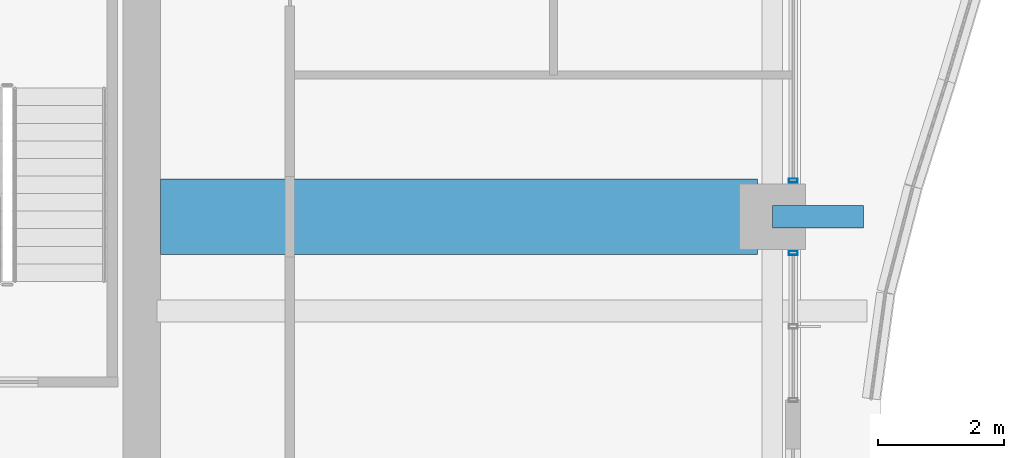
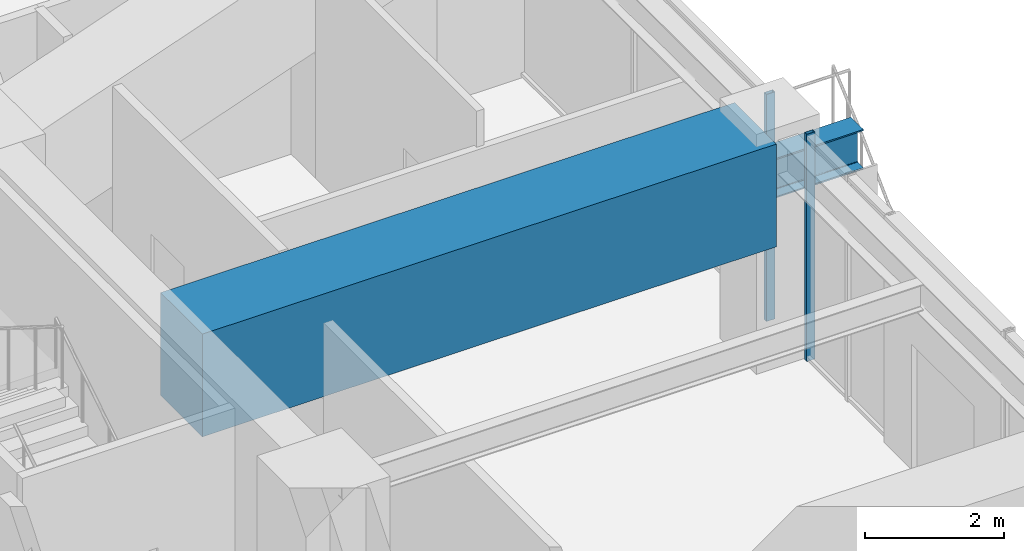
# One storey, part 18 of 40: 2 beams, 2 members, 2 elements without a shape of their own.
"""IFC4 building model written with IfcOpenShell, lengths in metres."""

from ifc_helpers import new_model, si_unit, direction, frame, origin, origin_2d, place, context, subcontext, project, spatial, rectangle, hollow_rectangle, i_section, extrude, material, material_profile, profile_set, type_object, element, aggregate, save


model = new_model("IFC4")

# Units and contexts
model_context = context("Model", 3, precision=1e-05, world=origin(), true_north=direction((0.0, 1.0)))
body_context = subcontext(model_context, "Body", "Model", "MODEL_VIEW")
ifc_project = project(units=[si_unit("LENGTHUNIT", "METRE"), si_unit("AREAUNIT", "SQUARE_METRE"), si_unit("VOLUMEUNIT", "CUBIC_METRE"), si_unit("PLANEANGLEUNIT", "RADIAN"), si_unit("MASSUNIT", "GRAM", prefix="KILO")], contexts=[model_context])

# Site, building, storey
site_placement = place(None, origin())
site = spatial("IfcSite", under=ifc_project, at=site_placement, CompositionType="ELEMENT")
building_placement = place(site_placement, origin())
building = spatial("IfcBuilding", under=site, at=building_placement, Name="Kolvaren Belvedere", CompositionType="ELEMENT")
storey_placement = place(building_placement, frame((0.0, 0.0, 68.0)))
storey = spatial("IfcBuildingStorey", under=building, at=storey_placement, Name="L19", CompositionType="ELEMENT", Elevation=68.0)

# Beams
ifc_material_1 = material(Name="Structural steel ASTM A992 Grade 50", Category="steel")
ifc_material_profile_1 = material_profile(ifc_material_1, i_section(OverallWidth=0.35498046875, OverallDepth=0.696044921875, WebThickness=0.015380859375, FlangeThickness=0.02490234375, FilletRadius=0.02197265625, at=origin_2d()), Name="W27X146")
ifc_profile_set_1 = profile_set([ifc_material_profile_1], Name="Structural steel ASTM A992 Grade 50")
beam_type_1 = type_object("IfcBeamType", Name="BM-CANT-BAL", PredefinedType="BEAM", material=ifc_profile_set_1)
beam_1_placement = place(storey_placement, frame((19.949951171875, 4.60009765625, 3.0419921875), z_axis=(1.0, 0.0, 0.0), x_axis=(0.0, 1.0, 0.0)))
element("IfcBeam", 1, at=beam_1_placement, inside=storey, type_object=beam_type_1, Name="L19 East Picture-Frame Column Corbel P", PredefinedType="BEAM", context=body_context, shape_type="SweptSolid", body=[
    extrude(i_section(OverallWidth=0.35498046875, OverallDepth=0.696044921875, WebThickness=0.015380859375, FlangeThickness=0.02490234375, FilletRadius=0.02197265625, at=origin_2d()), origin(), (0.0, 0.0, 1.0), 1.449951171875),
])
ifc_material_2 = material(Name="Concrete C50/60", Category="concrete")
ifc_material_profile_2 = material_profile(ifc_material_2, rectangle(XDim=1.199951171875, YDim=1.800048828125, at=origin_2d()), Name="RC 1200X1800")
ifc_profile_set_2 = profile_set([ifc_material_profile_2], Name="Concrete C50/60")
beam_type_2 = type_object("IfcBeamType", Name="BM-TG-1800", PredefinedType="BEAM", material=ifc_profile_set_2)
beam_2_placement = place(storey_placement, frame((10.199951171875, 4.60009765625, 3.080078125), z_axis=(1.0, 0.0, 0.0), x_axis=(0.0, 1.0, 0.0)))
element("IfcBeam", 2, at=beam_2_placement, inside=storey, type_object=beam_type_2, Name="L19 East Radial Girder P", PredefinedType="BEAM", context=body_context, shape_type="SweptSolid", body=[
    extrude(rectangle(XDim=1.199951171875, YDim=1.800048828125, at=origin_2d()), origin(), (0.0, 0.0, 1.0), 9.513916015625),
])

# Curtain wall, member
ifc_material_3 = material(Name="Anodised pale-metal aluminium AA 6063-T6", Category="aluminium")
curtain_wall_type = type_object("IfcCurtainWallType", Name="CW-Z2-MID", PredefinedType="NOTDEFINED", material=ifc_material_3)
curtain_wall_1_placement = place(storey_placement, origin())
curtain_wall_1 = element("IfcCurtainWall", 3, at=curtain_wall_1_placement, inside=storey, type_object=curtain_wall_type, Name="L19 Unitised Curtain Wall FCW-L19-E1-B1", PredefinedType="NOTDEFINED")
ifc_material_4 = material(Name="Anodised pale-metal aluminium AA 6063-T6", Category="aluminium")
ifc_material_profile_3 = material_profile(ifc_material_4, hollow_rectangle(XDim=0.06494140625, YDim=0.139892578125, WallThickness=0.00390625, at=origin_2d()), Name="ALU-MUL-140X65")
ifc_profile_set_3 = profile_set([ifc_material_profile_3], Name="Anodised pale-metal aluminium AA 6063-T6")
member_type = type_object("IfcMemberType", Name="CW-MUL-140", PredefinedType="MULLION", material=ifc_profile_set_3)
member_1_placement = place(storey_placement, frame((20.280029296875, 5.177490234375, 0.0), z_axis=(0.0, 0.0, 1.0), x_axis=(0.0, 1.0, 0.0)))
member_1 = element("IfcMember", 4, at=member_1_placement, type_object=member_type, Name="FCW-L19-E1-B1 Unitised Mullion 3", PredefinedType="MULLION", context=body_context, shape_type="SweptSolid", body=[
    extrude(hollow_rectangle(XDim=0.06494140625, YDim=0.139892578125, WallThickness=0.00390625, at=origin_2d()), origin(), (0.0, 0.0, 1.0), 3.97998046875),
])
aggregate(curtain_wall_1, [member_1])

curtain_wall_2_placement = place(storey_placement, origin())
curtain_wall_2 = element("IfcCurtainWall", 5, at=curtain_wall_2_placement, inside=storey, type_object=curtain_wall_type, Name="L19 Unitised Curtain Wall FCW-L19-E1-B2", PredefinedType="NOTDEFINED")
member_2_placement = place(storey_placement, frame((20.280029296875, 4.0224609375, 0.0), z_axis=(0.0, 0.0, 1.0), x_axis=(0.0, 1.0, 0.0)))
member_2 = element("IfcMember", 6, at=member_2_placement, type_object=member_type, Name="FCW-L19-E1-B2 Unitised Mullion 1", PredefinedType="MULLION", context=body_context, shape_type="SweptSolid", body=[
    extrude(hollow_rectangle(XDim=0.06494140625, YDim=0.139892578125, WallThickness=0.00390625, at=origin_2d()), origin(), (0.0, 0.0, 1.0), 3.97998046875),
])
aggregate(curtain_wall_2, [member_2])

save(model, "model.ifc")
